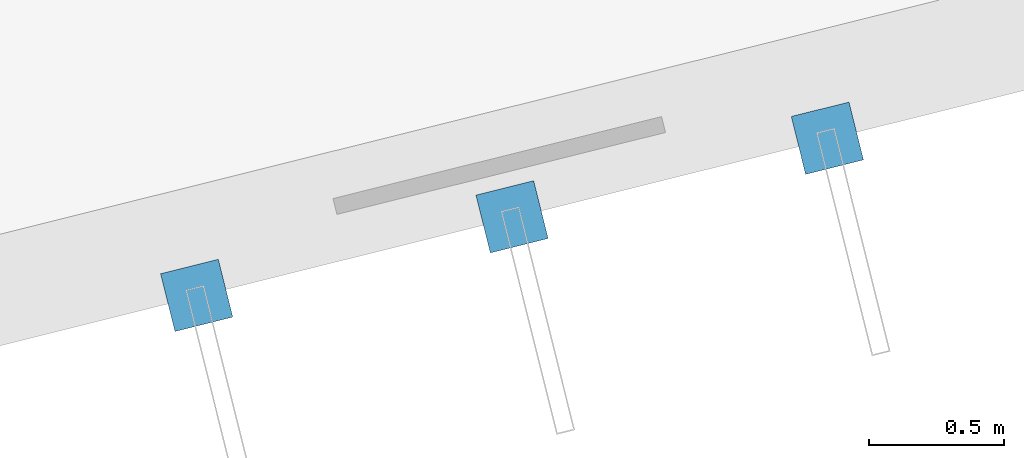
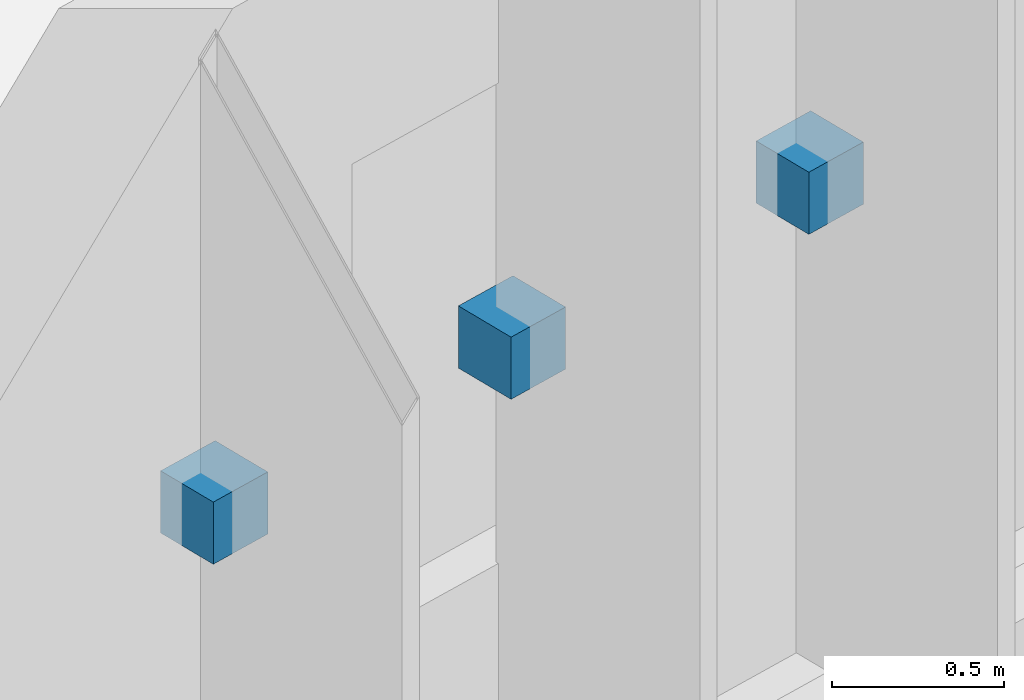
# One storey, part 152 of 164: 3 discrete accessories.
"""IFC4 building model written with IfcOpenShell, lengths in metres."""

from ifc_helpers import new_model, si_unit, direction, frame, origin, origin_2d, place, context, subcontext, project, spatial, rectangle, extrude, material, layer, layer_set, type_object, element, save


model = new_model("IFC4")

# Units and contexts
model_context = context("Model", 3, precision=1e-05, world=origin(), true_north=direction((0.0, 1.0)))
body_context = subcontext(model_context, "Body", "Model", "MODEL_VIEW")
ifc_project = project(units=[si_unit("LENGTHUNIT", "METRE"), si_unit("AREAUNIT", "SQUARE_METRE"), si_unit("VOLUMEUNIT", "CUBIC_METRE"), si_unit("PLANEANGLEUNIT", "RADIAN"), si_unit("MASSUNIT", "GRAM", prefix="KILO")], contexts=[model_context])

# Site, building, storey
site_placement = place(None, origin())
site = spatial("IfcSite", under=ifc_project, at=site_placement, CompositionType="ELEMENT")
building_placement = place(site_placement, origin())
building = spatial("IfcBuilding", under=site, at=building_placement, Name="Mawjan Specialist Oncology Clinic", CompositionType="ELEMENT")
storey_placement = place(building_placement, frame((0.0, 0.0, 5.0)))
storey = spatial("IfcBuildingStorey", under=building, at=storey_placement, Name="L01", CompositionType="ELEMENT", Elevation=5.0)

# Discrete accessories
ifc_material = material(Name="Structural steel S355", Category="steel")
ifc_layer = layer(ifc_material, 0.219970703125, Name="Structural steel S355", Category="steel")
ifc_layer_set = layer_set([ifc_layer], Name="Structural steel S355")
discrete_accessory_type = type_object("IfcDiscreteAccessoryType", Name="BRK-S355", PredefinedType="BRACKET", material=ifc_layer_set)
for number, where, z_axis, x_axis, name in (
    (1, (151.675048828125, 7.00048828125, 1.58251953125), (0.0, 0.0, 1.0), (-0.970295726276, -0.2419218956, 0.0), "Solar Fin Mounting Bracket 1"),
    (2, (150.5107421875, 6.710205078125, 1.58251953125), (0.0, 0.0, 1.0), (-0.970295726276, -0.2419218956, 0.0), "Solar Fin Mounting Bracket 2"),
    (3, (149.346435546875, 6.419921875, 1.58251953125), (0.0, 0.0, 1.0), (-0.970295726276, -0.2419218956, 0.0), "Solar Fin Mounting Bracket 3"),
):
    element("IfcDiscreteAccessory", number, at=place(storey_placement, frame(where, z_axis=z_axis, x_axis=x_axis)), inside=storey, type_object=discrete_accessory_type, Name=name, PredefinedType="BRACKET", context=body_context, shape_type="SweptSolid", body=[
        extrude(rectangle(XDim=0.219970703125, YDim=0.219970703125, at=origin_2d()), origin(), (0.0, 0.0, 1.0), 0.219970703125),
    ])

save(model, "model.ifc")
